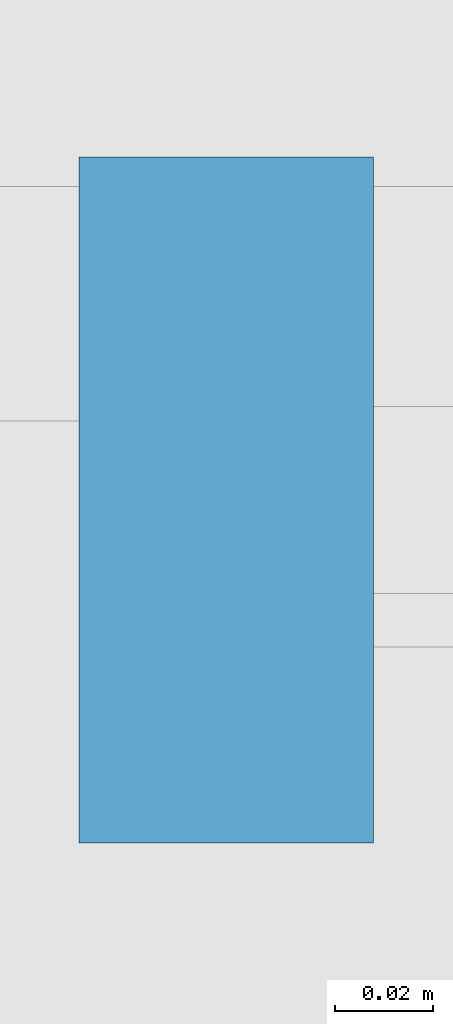
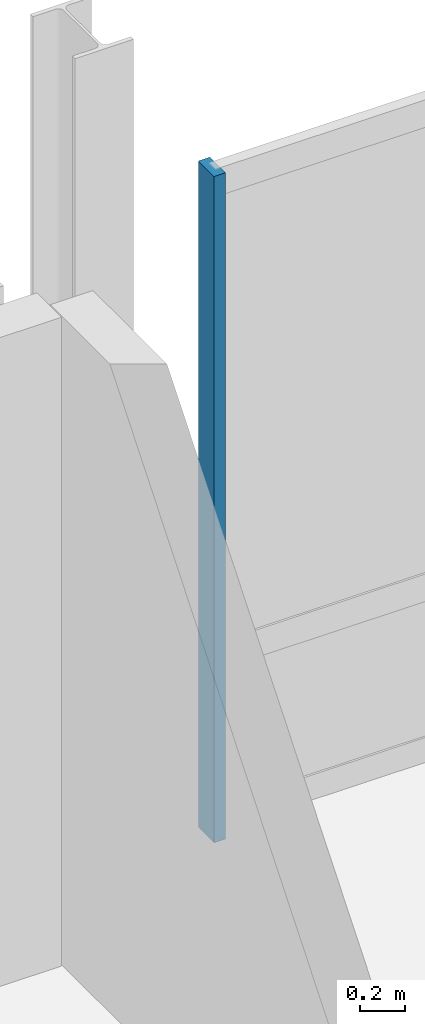
# One storey, part 6 of 26: 1 member, 1 element without a shape of its own.
"""IFC4 building model written with IfcOpenShell, lengths in metres."""

from ifc_helpers import new_model, si_unit, direction, frame, origin, origin_2d, place, context, subcontext, project, spatial, rectangle, extrude, material, material_profile, profile_set, type_object, element, aggregate, save


model = new_model("IFC4")

# Units and contexts
model_context = context("Model", 3, precision=1e-05, world=origin(), true_north=direction((0.0, 1.0)))
body_context = subcontext(model_context, "Body", "Model", "MODEL_VIEW")
ifc_project = project(units=[si_unit("LENGTHUNIT", "METRE"), si_unit("AREAUNIT", "SQUARE_METRE"), si_unit("VOLUMEUNIT", "CUBIC_METRE"), si_unit("PLANEANGLEUNIT", "RADIAN"), si_unit("MASSUNIT", "GRAM", prefix="KILO")], contexts=[model_context])

# Site, building, storey
site_placement = place(None, origin())
site = spatial("IfcSite", under=ifc_project, at=site_placement, CompositionType="ELEMENT")
building_placement = place(site_placement, origin())
building = spatial("IfcBuilding", under=site, at=building_placement, Name="Danafjord Basin Convention Centre", CompositionType="ELEMENT")
storey_placement = place(building_placement, frame((0.0, 0.0, 24.89990234375)))
storey = spatial("IfcBuildingStorey", under=building, at=storey_placement, Name="L05", CompositionType="ELEMENT", Elevation=24.89990234375)

# Curtain wall, member
ifc_material_1 = material(Name="Anodised aluminium and triple glazing", Category="aluminium")
curtain_wall_type = type_object("IfcCurtainWallType", Name="CW-CW-TERR", PredefinedType="NOTDEFINED", material=ifc_material_1)
curtain_wall_placement = place(storey_placement, origin())
curtain_wall = element("IfcCurtainWall", 1, at=curtain_wall_placement, inside=storey, type_object=curtain_wall_type, Name="L05 CW-TERR unitised curtain wall bay 100", PredefinedType="NOTDEFINED")
ifc_material_2 = material(Name="Anodised aluminium EN AW-6060", Category="aluminium")
ifc_material_profile = material_profile(ifc_material_2, rectangle(XDim=0.06005859375, YDim=0.139892578125, at=origin_2d()), Name="MULL 60x140")
ifc_profile_set = profile_set([ifc_material_profile], Name="Anodised aluminium EN AW-6060")
member_type = type_object("IfcMemberType", Name="MEM-ML-140", PredefinedType="MULLION", material=ifc_profile_set)
member_placement = place(storey_placement, frame((29.39990234375, 39.8798828125, -0.02490234375), z_axis=(0.0, 0.0, 1.0), x_axis=(-1.0, 0.0, 0.0)))
member = element("IfcMember", 2, at=member_placement, type_object=member_type, Name="CW-L05-100 mullion 4", PredefinedType="MULLION", context=body_context, shape_type="SweptSolid", body=[
    extrude(rectangle(XDim=0.06005859375, YDim=0.139892578125, at=origin_2d()), origin(), (0.0, 0.0, 1.0), 3.625),
])
aggregate(curtain_wall, [member])

save(model, "model.ifc")
